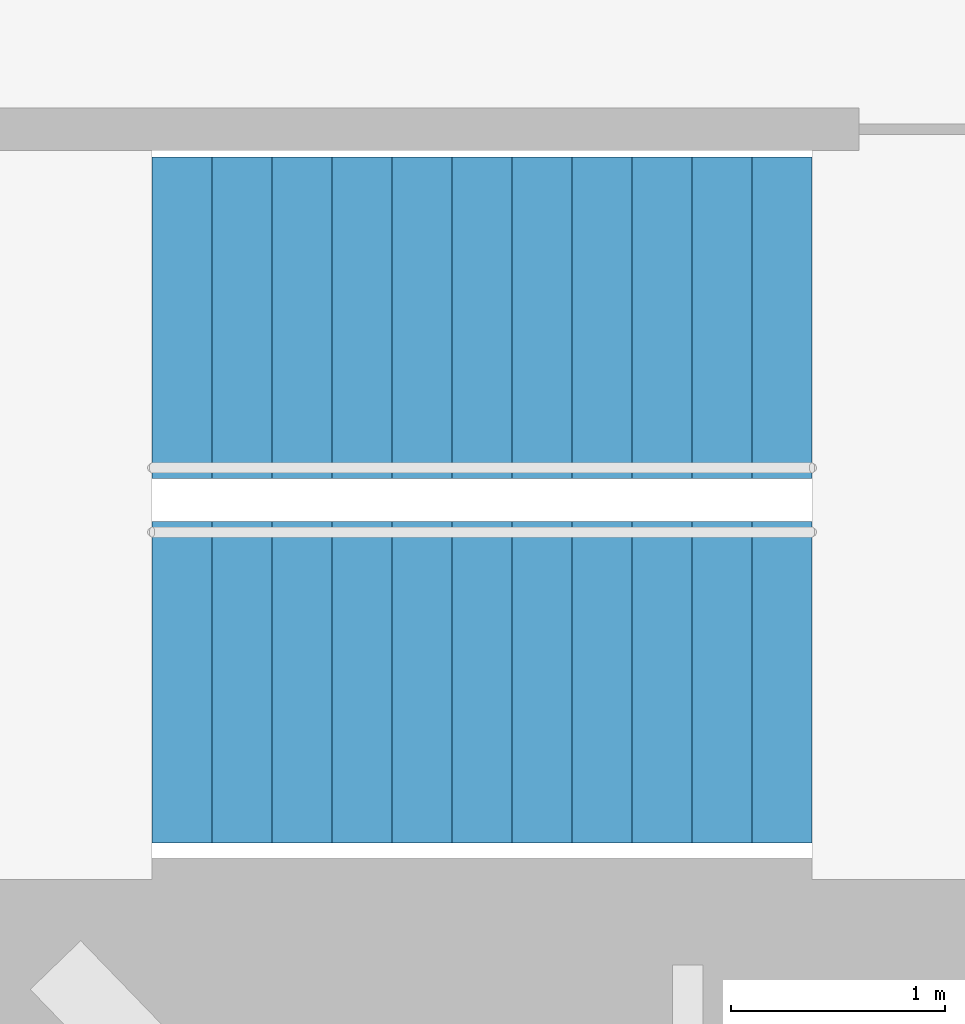
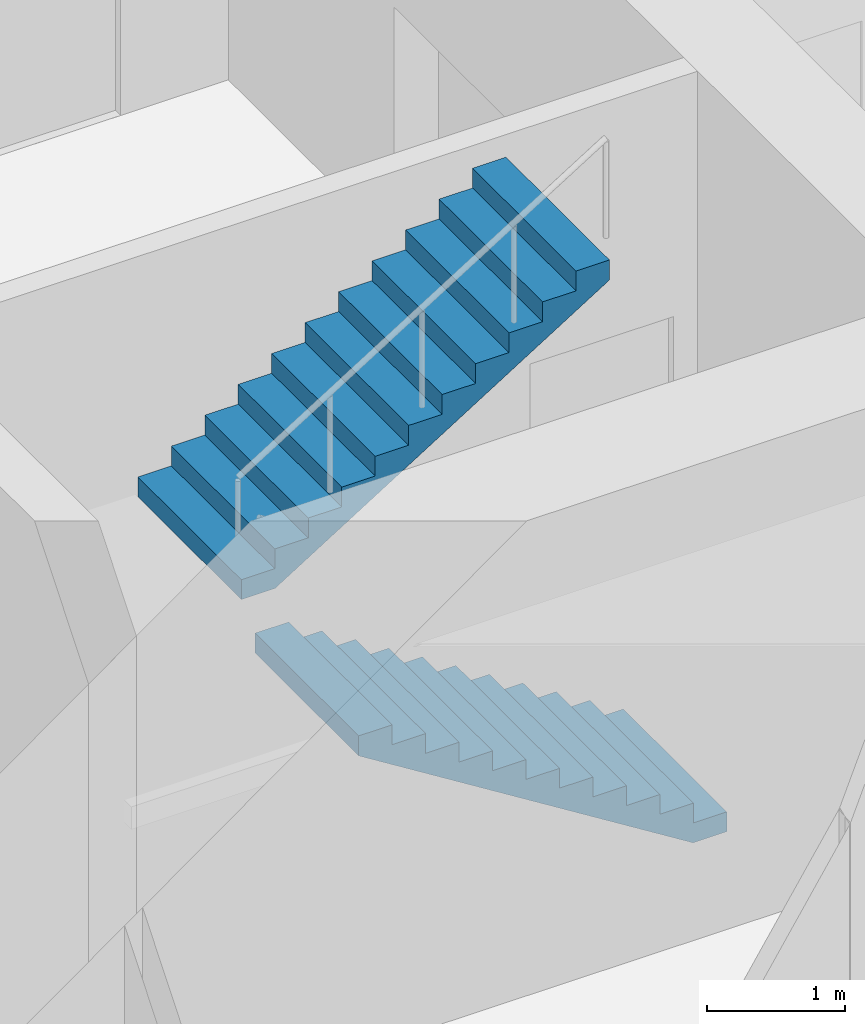
# One storey, part 17 of 18: 2 stair flights, 1 element without a shape of its own.
"""IFC4 building model written with IfcOpenShell, lengths in metres."""

from ifc_helpers import new_model, si_unit, direction, frame, origin, place, context, subcontext, project, spatial, triangles, material, type_object, element, aggregate, save


model = new_model("IFC4")

# Units and contexts
model_context = context("Model", 3, precision=1e-05, world=origin(), true_north=direction((0.0, 1.0)))
body_context = subcontext(model_context, "Body", "Model", "MODEL_VIEW")
ifc_project = project(units=[si_unit("LENGTHUNIT", "METRE"), si_unit("AREAUNIT", "SQUARE_METRE"), si_unit("VOLUMEUNIT", "CUBIC_METRE"), si_unit("PLANEANGLEUNIT", "RADIAN"), si_unit("MASSUNIT", "GRAM", prefix="KILO")], contexts=[model_context])

# Site, building, storey
site_placement = place(None, origin())
site = spatial("IfcSite", under=ifc_project, at=site_placement, CompositionType="ELEMENT")
building_placement = place(site_placement, origin())
building = spatial("IfcBuilding", under=site, at=building_placement, Name="Lantaw Convention Tower", CompositionType="ELEMENT")
storey_placement = place(building_placement, frame((0.0, 0.0, 262.0)))
storey = spatial("IfcBuildingStorey", under=building, at=storey_placement, Name="L61", CompositionType="ELEMENT", Elevation=262.0)

# Stair, stair flights
ifc_material = material(Name="Concrete C35/45", Category="concrete")
stair_type = type_object("IfcStairType", Name="Exit stair 1500 riser 175 in 2 flights", PredefinedType="HALF_TURN_STAIR", material=ifc_material)
stair_placement = place(storey_placement, origin())
stair = element("IfcStair", 1, at=stair_placement, inside=storey, type_object=stair_type, Name="Exit stair S2 L61", PredefinedType="HALF_TURN_STAIR")
stair_flight_type = type_object("IfcStairFlightType", Name="Stair flight 1500 riser 175", PredefinedType="STRAIGHT", material=ifc_material)
stair_flight_1_placement = place(storey_placement, frame((10.580078125, -5.97998046875, 0.0), z_axis=(0.0, 0.0, 1.0), x_axis=(-1.0, 0.0, 0.0)))
stair_flight_1 = element("IfcStairFlight", 2, at=stair_flight_1_placement, type_object=stair_flight_type, Name="S2 flight 1", NumberOfRisers=12, NumberOfTreads=11, PredefinedType="STRAIGHT", RiserHeight=0.175, TreadLength=0.28, context=body_context, shape_type="Tessellation", body=[
    triangles([(0.0, 0.75, 0.0), (0.0, 0.75, 0.175), (0.28, 0.75, 0.0), (0.28, 0.75, 0.175), (0.28, 0.75, 0.35), (0.28283517651771284, 0.75, 0.0), (0.28283517651771284, 0.75, 0.35), (0.56, 0.75, 0.17322801467642948), (0.56, 0.75, 0.35), (0.56, 0.75, 0.5249999999999999), (0.8400000000000001, 0.75, 0.34822801467642944), (0.8400000000000001, 0.75, 0.5249999999999999), (0.8400000000000001, 0.75, 0.7), (1.12, 0.75, 0.5232280146764294), (1.12, 0.75, 0.7), (1.12, 0.75, 0.875), (1.4000000000000001, 0.75, 0.6982280146764295), (1.4000000000000001, 0.75, 0.875), (1.4000000000000001, 0.75, 1.0499999999999998), (1.6800000000000002, 0.75, 0.8732280146764294), (1.6800000000000002, 0.75, 1.0499999999999998), (1.6800000000000002, 0.75, 1.2249999999999999), (1.9600000000000002, 0.75, 1.0482280146764293), (1.9600000000000002, 0.75, 1.2249999999999999), (1.9600000000000002, 0.75, 1.4), (2.24, 0.75, 1.2232280146764294), (2.24, 0.75, 1.4), (2.24, 0.75, 1.575), (2.5200000000000005, 0.75, 1.3982280146764294), (2.5200000000000005, 0.75, 1.575), (2.5200000000000005, 0.75, 1.75), (2.8000000000000003, 0.75, 1.5732280146764293), (2.8000000000000003, 0.75, 1.75), (2.8000000000000003, 0.75, 1.9249999999999998), (3.08, 0.75, 1.7482280146764293), (3.08, 0.75, 1.9249999999999998), (0.0, -0.75, 0.0), (0.0, -0.75, 0.175), (0.28, -0.75, 0.0), (0.28, -0.75, 0.175), (0.28, -0.75, 0.35), (0.28283517651771284, -0.75, 0.0), (0.28283517651771284, -0.75, 0.35), (0.56, -0.75, 0.17322801467642948), (0.56, -0.75, 0.35), (0.56, -0.75, 0.5249999999999999), (0.8400000000000001, -0.75, 0.34822801467642944), (0.8400000000000001, -0.75, 0.5249999999999999), (0.8400000000000001, -0.75, 0.7), (1.12, -0.75, 0.5232280146764294), (1.12, -0.75, 0.7), (1.12, -0.75, 0.875), (1.4000000000000001, -0.75, 0.6982280146764295), (1.4000000000000001, -0.75, 0.875), (1.4000000000000001, -0.75, 1.0499999999999998), (1.6800000000000002, -0.75, 0.8732280146764294), (1.6800000000000002, -0.75, 1.0499999999999998), (1.6800000000000002, -0.75, 1.2249999999999999), (1.9600000000000002, -0.75, 1.0482280146764293), (1.9600000000000002, -0.75, 1.2249999999999999), (1.9600000000000002, -0.75, 1.4), (2.24, -0.75, 1.2232280146764294), (2.24, -0.75, 1.4), (2.24, -0.75, 1.575), (2.5200000000000005, -0.75, 1.3982280146764294), (2.5200000000000005, -0.75, 1.575), (2.5200000000000005, -0.75, 1.75), (2.8000000000000003, -0.75, 1.5732280146764293), (2.8000000000000003, -0.75, 1.75), (2.8000000000000003, -0.75, 1.9249999999999998), (3.08, -0.75, 1.7482280146764293), (3.08, -0.75, 1.9249999999999998), (0.0, 0.15000000000000002, 0.175), (0.0, 0.15000000000000002, 0.0), (0.0, 0.0, 0.175), (0.0, 0.0, 0.0), (0.0, -0.15000000000000002, 0.175), (0.0, -0.15000000000000002, 0.0), (0.28, 0.15000000000000002, 0.35), (0.28, 0.15000000000000002, 0.175), (0.28, 0.0, 0.35), (0.28, 0.0, 0.175), (0.28, -0.15000000000000002, 0.35), (0.28, -0.15000000000000002, 0.175), (0.56, 0.15000000000000002, 0.5249999999999999), (0.56, 0.15000000000000002, 0.35), (0.56, 0.0, 0.5249999999999999), (0.56, 0.0, 0.35), (0.56, -0.15000000000000002, 0.5249999999999999), (0.56, -0.15000000000000002, 0.35), (0.8400000000000001, 0.15000000000000002, 0.7), (0.8400000000000001, 0.15000000000000002, 0.5249999999999999), (0.8400000000000001, 0.0, 0.7), (0.8400000000000001, 0.0, 0.5249999999999999), (0.8400000000000001, -0.15000000000000002, 0.7), (0.8400000000000001, -0.15000000000000002, 0.5249999999999999), (1.12, 0.15000000000000002, 0.875), (1.12, 0.15000000000000002, 0.7), (1.12, 0.0, 0.875), (1.12, 0.0, 0.7), (1.12, -0.15000000000000002, 0.875), (1.12, -0.15000000000000002, 0.7), (1.4000000000000001, 0.15000000000000002, 1.0499999999999998), (1.4000000000000001, 0.15000000000000002, 0.875), (1.4000000000000001, 0.0, 1.0499999999999998), (1.4000000000000001, 0.0, 0.875), (1.4000000000000001, -0.15000000000000002, 1.0499999999999998), (1.4000000000000001, -0.15000000000000002, 0.875), (1.6800000000000002, 0.15000000000000002, 1.2249999999999999), (1.6800000000000002, 0.15000000000000002, 1.0499999999999998), (1.6800000000000002, 0.0, 1.2249999999999999), (1.6800000000000002, 0.0, 1.0499999999999998), (1.6800000000000002, -0.15000000000000002, 1.2249999999999999), (1.6800000000000002, -0.15000000000000002, 1.0499999999999998), (1.9600000000000002, 0.15000000000000002, 1.4), (1.9600000000000002, 0.15000000000000002, 1.2249999999999999), (1.9600000000000002, 0.0, 1.4), (1.9600000000000002, 0.0, 1.2249999999999999), (1.9600000000000002, -0.15000000000000002, 1.4), (1.9600000000000002, -0.15000000000000002, 1.2249999999999999), (2.24, 0.15000000000000002, 1.575), (2.24, 0.15000000000000002, 1.4), (2.24, 0.0, 1.575), (2.24, 0.0, 1.4), (2.24, -0.15000000000000002, 1.575), (2.24, -0.15000000000000002, 1.4), (2.5200000000000005, 0.15000000000000002, 1.75), (2.5200000000000005, 0.15000000000000002, 1.575), (2.5200000000000005, 0.0, 1.75), (2.5200000000000005, 0.0, 1.575), (2.5200000000000005, -0.15000000000000002, 1.75), (2.5200000000000005, -0.15000000000000002, 1.575), (2.8000000000000003, 0.15000000000000002, 1.9249999999999998), (2.8000000000000003, 0.15000000000000002, 1.75), (2.8000000000000003, 0.0, 1.9249999999999998), (2.8000000000000003, 0.0, 1.75), (2.8000000000000003, -0.15000000000000002, 1.9249999999999998), (2.8000000000000003, -0.15000000000000002, 1.75), (0.28283517651771284, 0.15000000000000002, 0.35), (0.28283517651771284, 0.0, 0.35), (0.28283517651771284, -0.15000000000000002, 0.35), (3.08, 0.15000000000000002, 1.9249999999999998), (3.08, 0.0, 1.9249999999999998), (3.08, -0.15000000000000002, 1.9249999999999998), (3.08, 0.15000000000000002, 1.7482280146764293), (3.08, 0.0, 1.7482280146764293), (3.08, -0.15000000000000002, 1.7482280146764293), (2.8000000000000003, 0.15000000000000002, 1.5732280146764293), (2.8000000000000003, 0.0, 1.5732280146764293), (2.8000000000000003, -0.15000000000000002, 1.5732280146764293), (2.5200000000000005, 0.15000000000000002, 1.3982280146764294), (2.5200000000000005, 0.0, 1.3982280146764294), (2.5200000000000005, -0.15000000000000002, 1.3982280146764294), (2.24, 0.15000000000000002, 1.2232280146764294), (2.24, 0.0, 1.2232280146764294), (2.24, -0.15000000000000002, 1.2232280146764294), (1.9600000000000002, 0.15000000000000002, 1.0482280146764293), (1.9600000000000002, 0.0, 1.0482280146764293), (1.9600000000000002, -0.15000000000000002, 1.0482280146764293), (1.6800000000000002, 0.15000000000000002, 0.8732280146764294), (1.6800000000000002, 0.0, 0.8732280146764294), (1.6800000000000002, -0.15000000000000002, 0.8732280146764294), (1.4000000000000001, 0.15000000000000002, 0.6982280146764295), (1.4000000000000001, 0.0, 0.6982280146764295), (1.4000000000000001, -0.15000000000000002, 0.6982280146764295), (1.12, 0.15000000000000002, 0.5232280146764294), (1.12, 0.0, 0.5232280146764294), (1.12, -0.15000000000000002, 0.5232280146764294), (0.8400000000000001, 0.15000000000000002, 0.34822801467642944), (0.8400000000000001, 0.0, 0.34822801467642944), (0.8400000000000001, -0.15000000000000002, 0.34822801467642944), (0.56, 0.15000000000000002, 0.17322801467642948), (0.56, 0.0, 0.17322801467642948), (0.56, -0.15000000000000002, 0.17322801467642948), (0.28283517651771284, 0.15000000000000002, 0.0), (0.28283517651771284, 0.0, 0.0), (0.28283517651771284, -0.15000000000000002, 0.0), (0.28, 0.15000000000000002, 0.0), (0.28, 0.0, 0.0), (0.28, -0.15000000000000002, 0.0)], [[1, 4, 3], [1, 2, 4], [3, 4, 6], [4, 7, 6], [4, 5, 7], [6, 9, 8], [6, 7, 9], [8, 9, 11], [9, 12, 11], [9, 10, 12], [11, 12, 14], [12, 15, 14], [12, 13, 15], [14, 15, 17], [15, 18, 17], [15, 16, 18], [17, 18, 20], [18, 21, 20], [18, 19, 21], [20, 21, 23], [21, 24, 23], [21, 22, 24], [23, 24, 26], [24, 27, 26], [24, 25, 27], [26, 27, 29], [27, 30, 29], [27, 28, 30], [29, 30, 32], [30, 33, 32], [30, 31, 33], [32, 33, 35], [33, 36, 35], [33, 34, 36], [37, 39, 40], [37, 40, 38], [39, 42, 40], [40, 42, 43], [40, 43, 41], [42, 44, 45], [42, 45, 43], [44, 47, 45], [45, 47, 48], [45, 48, 46], [47, 50, 48], [48, 50, 51], [48, 51, 49], [50, 53, 51], [51, 53, 54], [51, 54, 52], [53, 56, 54], [54, 56, 57], [54, 57, 55], [56, 59, 57], [57, 59, 60], [57, 60, 58], [59, 62, 60], [60, 62, 63], [60, 63, 61], [62, 65, 63], [63, 65, 66], [63, 66, 64], [65, 68, 66], [66, 68, 69], [66, 69, 67], [68, 71, 69], [69, 71, 72], [69, 72, 70], [1, 73, 2], [1, 74, 73], [74, 75, 73], [74, 76, 75], [76, 77, 75], [76, 78, 77], [78, 38, 77], [78, 37, 38], [4, 79, 5], [4, 80, 79], [80, 81, 79], [80, 82, 81], [82, 83, 81], [82, 84, 83], [84, 41, 83], [84, 40, 41], [9, 85, 10], [9, 86, 85], [86, 87, 85], [86, 88, 87], [88, 89, 87], [88, 90, 89], [90, 46, 89], [90, 45, 46], [12, 91, 13], [12, 92, 91], [92, 93, 91], [92, 94, 93], [94, 95, 93], [94, 96, 95], [96, 49, 95], [96, 48, 49], [15, 97, 16], [15, 98, 97], [98, 99, 97], [98, 100, 99], [100, 101, 99], [100, 102, 101], [102, 52, 101], [102, 51, 52], [18, 103, 19], [18, 104, 103], [104, 105, 103], [104, 106, 105], [106, 107, 105], [106, 108, 107], [108, 55, 107], [108, 54, 55], [21, 109, 22], [21, 110, 109], [110, 111, 109], [110, 112, 111], [112, 113, 111], [112, 114, 113], [114, 58, 113], [114, 57, 58], [24, 115, 25], [24, 116, 115], [116, 117, 115], [116, 118, 117], [118, 119, 117], [118, 120, 119], [120, 61, 119], [120, 60, 61], [27, 121, 28], [27, 122, 121], [122, 123, 121], [122, 124, 123], [124, 125, 123], [124, 126, 125], [126, 64, 125], [126, 63, 64], [30, 127, 31], [30, 128, 127], [128, 129, 127], [128, 130, 129], [130, 131, 129], [130, 132, 131], [132, 67, 131], [132, 66, 67], [33, 133, 34], [33, 134, 133], [134, 135, 133], [134, 136, 135], [136, 137, 135], [136, 138, 137], [138, 70, 137], [138, 69, 70], [2, 80, 4], [2, 73, 80], [73, 82, 80], [73, 75, 82], [75, 84, 82], [75, 77, 84], [77, 40, 84], [77, 38, 40], [5, 139, 7], [5, 79, 139], [79, 140, 139], [79, 81, 140], [81, 141, 140], [81, 83, 141], [83, 43, 141], [83, 41, 43], [7, 86, 9], [7, 139, 86], [139, 88, 86], [139, 140, 88], [140, 90, 88], [140, 141, 90], [141, 45, 90], [141, 43, 45], [10, 92, 12], [10, 85, 92], [85, 94, 92], [85, 87, 94], [87, 96, 94], [87, 89, 96], [89, 48, 96], [89, 46, 48], [13, 98, 15], [13, 91, 98], [91, 100, 98], [91, 93, 100], [93, 102, 100], [93, 95, 102], [95, 51, 102], [95, 49, 51], [16, 104, 18], [16, 97, 104], [97, 106, 104], [97, 99, 106], [99, 108, 106], [99, 101, 108], [101, 54, 108], [101, 52, 54], [19, 110, 21], [19, 103, 110], [103, 112, 110], [103, 105, 112], [105, 114, 112], [105, 107, 114], [107, 57, 114], [107, 55, 57], [22, 116, 24], [22, 109, 116], [109, 118, 116], [109, 111, 118], [111, 120, 118], [111, 113, 120], [113, 60, 120], [113, 58, 60], [25, 122, 27], [25, 115, 122], [115, 124, 122], [115, 117, 124], [117, 126, 124], [117, 119, 126], [119, 63, 126], [119, 61, 63], [28, 128, 30], [28, 121, 128], [121, 130, 128], [121, 123, 130], [123, 132, 130], [123, 125, 132], [125, 66, 132], [125, 64, 66], [31, 134, 33], [31, 127, 134], [127, 136, 134], [127, 129, 136], [129, 138, 136], [129, 131, 138], [131, 69, 138], [131, 67, 69], [34, 142, 36], [34, 133, 142], [133, 143, 142], [133, 135, 143], [135, 144, 143], [135, 137, 144], [137, 72, 144], [137, 70, 72], [36, 145, 35], [36, 142, 145], [142, 146, 145], [142, 143, 146], [143, 147, 146], [143, 144, 147], [144, 71, 147], [144, 72, 71], [35, 148, 32], [35, 145, 148], [145, 149, 148], [145, 146, 149], [146, 150, 149], [146, 147, 150], [147, 68, 150], [147, 71, 68], [32, 151, 29], [32, 148, 151], [148, 152, 151], [148, 149, 152], [149, 153, 152], [149, 150, 153], [150, 65, 153], [150, 68, 65], [29, 154, 26], [29, 151, 154], [151, 155, 154], [151, 152, 155], [152, 156, 155], [152, 153, 156], [153, 62, 156], [153, 65, 62], [26, 157, 23], [26, 154, 157], [154, 158, 157], [154, 155, 158], [155, 159, 158], [155, 156, 159], [156, 59, 159], [156, 62, 59], [23, 160, 20], [23, 157, 160], [157, 161, 160], [157, 158, 161], [158, 162, 161], [158, 159, 162], [159, 56, 162], [159, 59, 56], [20, 163, 17], [20, 160, 163], [160, 164, 163], [160, 161, 164], [161, 165, 164], [161, 162, 165], [162, 53, 165], [162, 56, 53], [17, 166, 14], [17, 163, 166], [163, 167, 166], [163, 164, 167], [164, 168, 167], [164, 165, 168], [165, 50, 168], [165, 53, 50], [14, 169, 11], [14, 166, 169], [166, 170, 169], [166, 167, 170], [167, 171, 170], [167, 168, 171], [168, 47, 171], [168, 50, 47], [11, 172, 8], [11, 169, 172], [169, 173, 172], [169, 170, 173], [170, 174, 173], [170, 171, 174], [171, 44, 174], [171, 47, 44], [8, 175, 6], [8, 172, 175], [172, 176, 175], [172, 173, 176], [173, 177, 176], [173, 174, 177], [174, 42, 177], [174, 44, 42], [6, 178, 3], [6, 175, 178], [175, 179, 178], [175, 176, 179], [176, 180, 179], [176, 177, 180], [177, 39, 180], [177, 42, 39], [3, 74, 1], [3, 178, 74], [178, 76, 74], [178, 179, 76], [179, 78, 76], [179, 180, 78], [180, 37, 78], [180, 39, 37]], closed=True),
])
stair_flight_2_placement = place(storey_placement, frame((7.5, -4.280029296875, 2.10009765625), z_axis=(0.0, 0.0, 1.0), x_axis=(1.0, 0.0, 0.0)))
stair_flight_2 = element("IfcStairFlight", 3, at=stair_flight_2_placement, type_object=stair_flight_type, Name="S2 flight 2", NumberOfRisers=12, NumberOfTreads=11, PredefinedType="STRAIGHT", RiserHeight=0.175, TreadLength=0.28, context=body_context, shape_type="Tessellation", body=[
    triangles([(0.0, 0.75, 0.0), (0.0, 0.75, 0.175), (0.28, 0.75, 0.0), (0.28, 0.75, 0.175), (0.28, 0.75, 0.35), (0.28283517651771284, 0.75, 0.0), (0.28283517651771284, 0.75, 0.35), (0.56, 0.75, 0.17322801467642948), (0.56, 0.75, 0.35), (0.56, 0.75, 0.5249999999999999), (0.8400000000000001, 0.75, 0.34822801467642944), (0.8400000000000001, 0.75, 0.5249999999999999), (0.8400000000000001, 0.75, 0.7), (1.12, 0.75, 0.5232280146764294), (1.12, 0.75, 0.7), (1.12, 0.75, 0.875), (1.4000000000000001, 0.75, 0.6982280146764295), (1.4000000000000001, 0.75, 0.875), (1.4000000000000001, 0.75, 1.0499999999999998), (1.6800000000000002, 0.75, 0.8732280146764294), (1.6800000000000002, 0.75, 1.0499999999999998), (1.6800000000000002, 0.75, 1.2249999999999999), (1.9600000000000002, 0.75, 1.0482280146764293), (1.9600000000000002, 0.75, 1.2249999999999999), (1.9600000000000002, 0.75, 1.4), (2.24, 0.75, 1.2232280146764294), (2.24, 0.75, 1.4), (2.24, 0.75, 1.575), (2.5200000000000005, 0.75, 1.3982280146764294), (2.5200000000000005, 0.75, 1.575), (2.5200000000000005, 0.75, 1.75), (2.8000000000000003, 0.75, 1.5732280146764293), (2.8000000000000003, 0.75, 1.75), (2.8000000000000003, 0.75, 1.9249999999999998), (3.08, 0.75, 1.7482280146764293), (3.08, 0.75, 1.9249999999999998), (0.0, -0.75, 0.0), (0.0, -0.75, 0.175), (0.28, -0.75, 0.0), (0.28, -0.75, 0.175), (0.28, -0.75, 0.35), (0.28283517651771284, -0.75, 0.0), (0.28283517651771284, -0.75, 0.35), (0.56, -0.75, 0.17322801467642948), (0.56, -0.75, 0.35), (0.56, -0.75, 0.5249999999999999), (0.8400000000000001, -0.75, 0.34822801467642944), (0.8400000000000001, -0.75, 0.5249999999999999), (0.8400000000000001, -0.75, 0.7), (1.12, -0.75, 0.5232280146764294), (1.12, -0.75, 0.7), (1.12, -0.75, 0.875), (1.4000000000000001, -0.75, 0.6982280146764295), (1.4000000000000001, -0.75, 0.875), (1.4000000000000001, -0.75, 1.0499999999999998), (1.6800000000000002, -0.75, 0.8732280146764294), (1.6800000000000002, -0.75, 1.0499999999999998), (1.6800000000000002, -0.75, 1.2249999999999999), (1.9600000000000002, -0.75, 1.0482280146764293), (1.9600000000000002, -0.75, 1.2249999999999999), (1.9600000000000002, -0.75, 1.4), (2.24, -0.75, 1.2232280146764294), (2.24, -0.75, 1.4), (2.24, -0.75, 1.575), (2.5200000000000005, -0.75, 1.3982280146764294), (2.5200000000000005, -0.75, 1.575), (2.5200000000000005, -0.75, 1.75), (2.8000000000000003, -0.75, 1.5732280146764293), (2.8000000000000003, -0.75, 1.75), (2.8000000000000003, -0.75, 1.9249999999999998), (3.08, -0.75, 1.7482280146764293), (3.08, -0.75, 1.9249999999999998), (0.0, 0.15000000000000002, 0.175), (0.0, 0.15000000000000002, 0.0), (0.0, 0.0, 0.175), (0.0, 0.0, 0.0), (0.0, -0.15000000000000002, 0.175), (0.0, -0.15000000000000002, 0.0), (0.28, 0.15000000000000002, 0.35), (0.28, 0.15000000000000002, 0.175), (0.28, 0.0, 0.35), (0.28, 0.0, 0.175), (0.28, -0.15000000000000002, 0.35), (0.28, -0.15000000000000002, 0.175), (0.56, 0.15000000000000002, 0.5249999999999999), (0.56, 0.15000000000000002, 0.35), (0.56, 0.0, 0.5249999999999999), (0.56, 0.0, 0.35), (0.56, -0.15000000000000002, 0.5249999999999999), (0.56, -0.15000000000000002, 0.35), (0.8400000000000001, 0.15000000000000002, 0.7), (0.8400000000000001, 0.15000000000000002, 0.5249999999999999), (0.8400000000000001, 0.0, 0.7), (0.8400000000000001, 0.0, 0.5249999999999999), (0.8400000000000001, -0.15000000000000002, 0.7), (0.8400000000000001, -0.15000000000000002, 0.5249999999999999), (1.12, 0.15000000000000002, 0.875), (1.12, 0.15000000000000002, 0.7), (1.12, 0.0, 0.875), (1.12, 0.0, 0.7), (1.12, -0.15000000000000002, 0.875), (1.12, -0.15000000000000002, 0.7), (1.4000000000000001, 0.15000000000000002, 1.0499999999999998), (1.4000000000000001, 0.15000000000000002, 0.875), (1.4000000000000001, 0.0, 1.0499999999999998), (1.4000000000000001, 0.0, 0.875), (1.4000000000000001, -0.15000000000000002, 1.0499999999999998), (1.4000000000000001, -0.15000000000000002, 0.875), (1.6800000000000002, 0.15000000000000002, 1.2249999999999999), (1.6800000000000002, 0.15000000000000002, 1.0499999999999998), (1.6800000000000002, 0.0, 1.2249999999999999), (1.6800000000000002, 0.0, 1.0499999999999998), (1.6800000000000002, -0.15000000000000002, 1.2249999999999999), (1.6800000000000002, -0.15000000000000002, 1.0499999999999998), (1.9600000000000002, 0.15000000000000002, 1.4), (1.9600000000000002, 0.15000000000000002, 1.2249999999999999), (1.9600000000000002, 0.0, 1.4), (1.9600000000000002, 0.0, 1.2249999999999999), (1.9600000000000002, -0.15000000000000002, 1.4), (1.9600000000000002, -0.15000000000000002, 1.2249999999999999), (2.24, 0.15000000000000002, 1.575), (2.24, 0.15000000000000002, 1.4), (2.24, 0.0, 1.575), (2.24, 0.0, 1.4), (2.24, -0.15000000000000002, 1.575), (2.24, -0.15000000000000002, 1.4), (2.5200000000000005, 0.15000000000000002, 1.75), (2.5200000000000005, 0.15000000000000002, 1.575), (2.5200000000000005, 0.0, 1.75), (2.5200000000000005, 0.0, 1.575), (2.5200000000000005, -0.15000000000000002, 1.75), (2.5200000000000005, -0.15000000000000002, 1.575), (2.8000000000000003, 0.15000000000000002, 1.9249999999999998), (2.8000000000000003, 0.15000000000000002, 1.75), (2.8000000000000003, 0.0, 1.9249999999999998), (2.8000000000000003, 0.0, 1.75), (2.8000000000000003, -0.15000000000000002, 1.9249999999999998), (2.8000000000000003, -0.15000000000000002, 1.75), (0.28283517651771284, 0.15000000000000002, 0.35), (0.28283517651771284, 0.0, 0.35), (0.28283517651771284, -0.15000000000000002, 0.35), (3.08, 0.15000000000000002, 1.9249999999999998), (3.08, 0.0, 1.9249999999999998), (3.08, -0.15000000000000002, 1.9249999999999998), (3.08, 0.15000000000000002, 1.7482280146764293), (3.08, 0.0, 1.7482280146764293), (3.08, -0.15000000000000002, 1.7482280146764293), (2.8000000000000003, 0.15000000000000002, 1.5732280146764293), (2.8000000000000003, 0.0, 1.5732280146764293), (2.8000000000000003, -0.15000000000000002, 1.5732280146764293), (2.5200000000000005, 0.15000000000000002, 1.3982280146764294), (2.5200000000000005, 0.0, 1.3982280146764294), (2.5200000000000005, -0.15000000000000002, 1.3982280146764294), (2.24, 0.15000000000000002, 1.2232280146764294), (2.24, 0.0, 1.2232280146764294), (2.24, -0.15000000000000002, 1.2232280146764294), (1.9600000000000002, 0.15000000000000002, 1.0482280146764293), (1.9600000000000002, 0.0, 1.0482280146764293), (1.9600000000000002, -0.15000000000000002, 1.0482280146764293), (1.6800000000000002, 0.15000000000000002, 0.8732280146764294), (1.6800000000000002, 0.0, 0.8732280146764294), (1.6800000000000002, -0.15000000000000002, 0.8732280146764294), (1.4000000000000001, 0.15000000000000002, 0.6982280146764295), (1.4000000000000001, 0.0, 0.6982280146764295), (1.4000000000000001, -0.15000000000000002, 0.6982280146764295), (1.12, 0.15000000000000002, 0.5232280146764294), (1.12, 0.0, 0.5232280146764294), (1.12, -0.15000000000000002, 0.5232280146764294), (0.8400000000000001, 0.15000000000000002, 0.34822801467642944), (0.8400000000000001, 0.0, 0.34822801467642944), (0.8400000000000001, -0.15000000000000002, 0.34822801467642944), (0.56, 0.15000000000000002, 0.17322801467642948), (0.56, 0.0, 0.17322801467642948), (0.56, -0.15000000000000002, 0.17322801467642948), (0.28283517651771284, 0.15000000000000002, 0.0), (0.28283517651771284, 0.0, 0.0), (0.28283517651771284, -0.15000000000000002, 0.0), (0.28, 0.15000000000000002, 0.0), (0.28, 0.0, 0.0), (0.28, -0.15000000000000002, 0.0)], [[1, 4, 3], [1, 2, 4], [3, 4, 6], [4, 7, 6], [4, 5, 7], [6, 9, 8], [6, 7, 9], [8, 9, 11], [9, 12, 11], [9, 10, 12], [11, 12, 14], [12, 15, 14], [12, 13, 15], [14, 15, 17], [15, 18, 17], [15, 16, 18], [17, 18, 20], [18, 21, 20], [18, 19, 21], [20, 21, 23], [21, 24, 23], [21, 22, 24], [23, 24, 26], [24, 27, 26], [24, 25, 27], [26, 27, 29], [27, 30, 29], [27, 28, 30], [29, 30, 32], [30, 33, 32], [30, 31, 33], [32, 33, 35], [33, 36, 35], [33, 34, 36], [37, 39, 40], [37, 40, 38], [39, 42, 40], [40, 42, 43], [40, 43, 41], [42, 44, 45], [42, 45, 43], [44, 47, 45], [45, 47, 48], [45, 48, 46], [47, 50, 48], [48, 50, 51], [48, 51, 49], [50, 53, 51], [51, 53, 54], [51, 54, 52], [53, 56, 54], [54, 56, 57], [54, 57, 55], [56, 59, 57], [57, 59, 60], [57, 60, 58], [59, 62, 60], [60, 62, 63], [60, 63, 61], [62, 65, 63], [63, 65, 66], [63, 66, 64], [65, 68, 66], [66, 68, 69], [66, 69, 67], [68, 71, 69], [69, 71, 72], [69, 72, 70], [1, 73, 2], [1, 74, 73], [74, 75, 73], [74, 76, 75], [76, 77, 75], [76, 78, 77], [78, 38, 77], [78, 37, 38], [4, 79, 5], [4, 80, 79], [80, 81, 79], [80, 82, 81], [82, 83, 81], [82, 84, 83], [84, 41, 83], [84, 40, 41], [9, 85, 10], [9, 86, 85], [86, 87, 85], [86, 88, 87], [88, 89, 87], [88, 90, 89], [90, 46, 89], [90, 45, 46], [12, 91, 13], [12, 92, 91], [92, 93, 91], [92, 94, 93], [94, 95, 93], [94, 96, 95], [96, 49, 95], [96, 48, 49], [15, 97, 16], [15, 98, 97], [98, 99, 97], [98, 100, 99], [100, 101, 99], [100, 102, 101], [102, 52, 101], [102, 51, 52], [18, 103, 19], [18, 104, 103], [104, 105, 103], [104, 106, 105], [106, 107, 105], [106, 108, 107], [108, 55, 107], [108, 54, 55], [21, 109, 22], [21, 110, 109], [110, 111, 109], [110, 112, 111], [112, 113, 111], [112, 114, 113], [114, 58, 113], [114, 57, 58], [24, 115, 25], [24, 116, 115], [116, 117, 115], [116, 118, 117], [118, 119, 117], [118, 120, 119], [120, 61, 119], [120, 60, 61], [27, 121, 28], [27, 122, 121], [122, 123, 121], [122, 124, 123], [124, 125, 123], [124, 126, 125], [126, 64, 125], [126, 63, 64], [30, 127, 31], [30, 128, 127], [128, 129, 127], [128, 130, 129], [130, 131, 129], [130, 132, 131], [132, 67, 131], [132, 66, 67], [33, 133, 34], [33, 134, 133], [134, 135, 133], [134, 136, 135], [136, 137, 135], [136, 138, 137], [138, 70, 137], [138, 69, 70], [2, 80, 4], [2, 73, 80], [73, 82, 80], [73, 75, 82], [75, 84, 82], [75, 77, 84], [77, 40, 84], [77, 38, 40], [5, 139, 7], [5, 79, 139], [79, 140, 139], [79, 81, 140], [81, 141, 140], [81, 83, 141], [83, 43, 141], [83, 41, 43], [7, 86, 9], [7, 139, 86], [139, 88, 86], [139, 140, 88], [140, 90, 88], [140, 141, 90], [141, 45, 90], [141, 43, 45], [10, 92, 12], [10, 85, 92], [85, 94, 92], [85, 87, 94], [87, 96, 94], [87, 89, 96], [89, 48, 96], [89, 46, 48], [13, 98, 15], [13, 91, 98], [91, 100, 98], [91, 93, 100], [93, 102, 100], [93, 95, 102], [95, 51, 102], [95, 49, 51], [16, 104, 18], [16, 97, 104], [97, 106, 104], [97, 99, 106], [99, 108, 106], [99, 101, 108], [101, 54, 108], [101, 52, 54], [19, 110, 21], [19, 103, 110], [103, 112, 110], [103, 105, 112], [105, 114, 112], [105, 107, 114], [107, 57, 114], [107, 55, 57], [22, 116, 24], [22, 109, 116], [109, 118, 116], [109, 111, 118], [111, 120, 118], [111, 113, 120], [113, 60, 120], [113, 58, 60], [25, 122, 27], [25, 115, 122], [115, 124, 122], [115, 117, 124], [117, 126, 124], [117, 119, 126], [119, 63, 126], [119, 61, 63], [28, 128, 30], [28, 121, 128], [121, 130, 128], [121, 123, 130], [123, 132, 130], [123, 125, 132], [125, 66, 132], [125, 64, 66], [31, 134, 33], [31, 127, 134], [127, 136, 134], [127, 129, 136], [129, 138, 136], [129, 131, 138], [131, 69, 138], [131, 67, 69], [34, 142, 36], [34, 133, 142], [133, 143, 142], [133, 135, 143], [135, 144, 143], [135, 137, 144], [137, 72, 144], [137, 70, 72], [36, 145, 35], [36, 142, 145], [142, 146, 145], [142, 143, 146], [143, 147, 146], [143, 144, 147], [144, 71, 147], [144, 72, 71], [35, 148, 32], [35, 145, 148], [145, 149, 148], [145, 146, 149], [146, 150, 149], [146, 147, 150], [147, 68, 150], [147, 71, 68], [32, 151, 29], [32, 148, 151], [148, 152, 151], [148, 149, 152], [149, 153, 152], [149, 150, 153], [150, 65, 153], [150, 68, 65], [29, 154, 26], [29, 151, 154], [151, 155, 154], [151, 152, 155], [152, 156, 155], [152, 153, 156], [153, 62, 156], [153, 65, 62], [26, 157, 23], [26, 154, 157], [154, 158, 157], [154, 155, 158], [155, 159, 158], [155, 156, 159], [156, 59, 159], [156, 62, 59], [23, 160, 20], [23, 157, 160], [157, 161, 160], [157, 158, 161], [158, 162, 161], [158, 159, 162], [159, 56, 162], [159, 59, 56], [20, 163, 17], [20, 160, 163], [160, 164, 163], [160, 161, 164], [161, 165, 164], [161, 162, 165], [162, 53, 165], [162, 56, 53], [17, 166, 14], [17, 163, 166], [163, 167, 166], [163, 164, 167], [164, 168, 167], [164, 165, 168], [165, 50, 168], [165, 53, 50], [14, 169, 11], [14, 166, 169], [166, 170, 169], [166, 167, 170], [167, 171, 170], [167, 168, 171], [168, 47, 171], [168, 50, 47], [11, 172, 8], [11, 169, 172], [169, 173, 172], [169, 170, 173], [170, 174, 173], [170, 171, 174], [171, 44, 174], [171, 47, 44], [8, 175, 6], [8, 172, 175], [172, 176, 175], [172, 173, 176], [173, 177, 176], [173, 174, 177], [174, 42, 177], [174, 44, 42], [6, 178, 3], [6, 175, 178], [175, 179, 178], [175, 176, 179], [176, 180, 179], [176, 177, 180], [177, 39, 180], [177, 42, 39], [3, 74, 1], [3, 178, 74], [178, 76, 74], [178, 179, 76], [179, 78, 76], [179, 180, 78], [180, 37, 78], [180, 39, 37]], closed=True),
])
aggregate(stair, [stair_flight_1, stair_flight_2])

save(model, "model.ifc")
